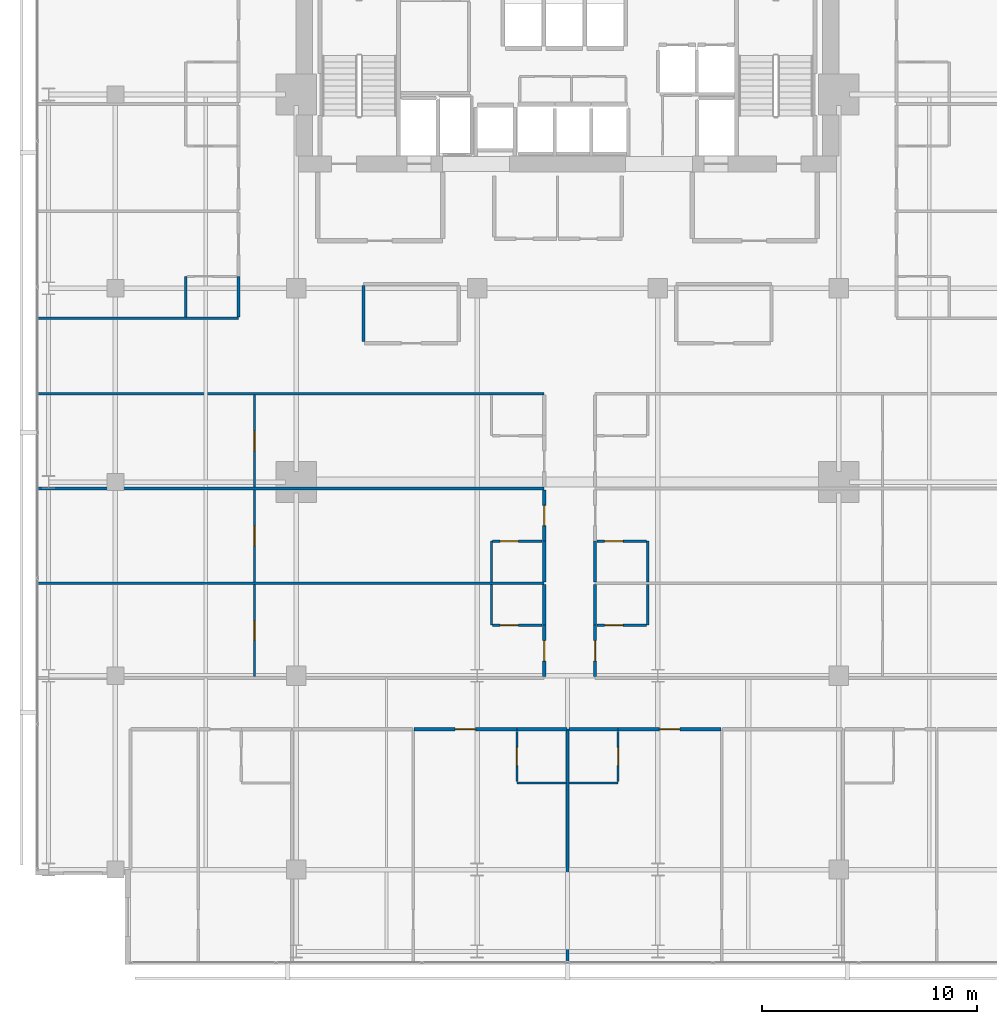
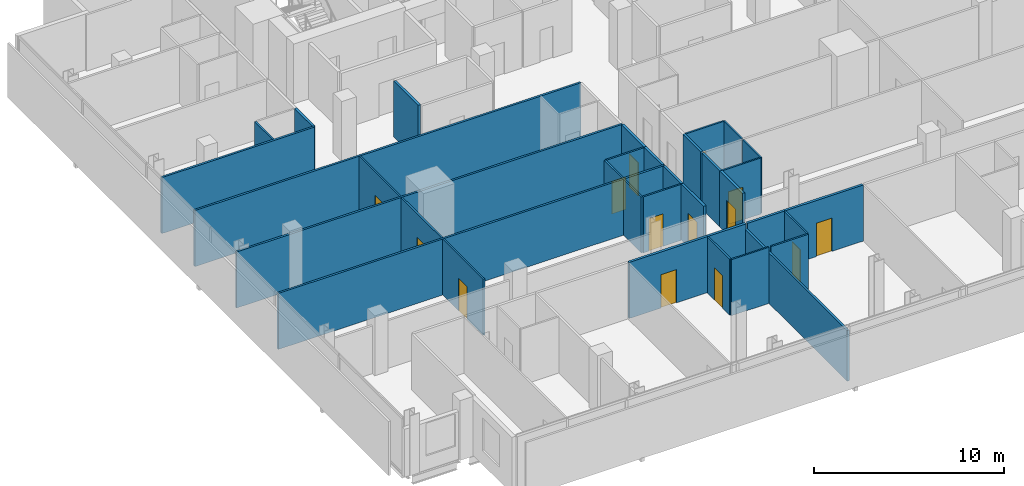
# One storey, part 27 of 34: 34 walls, 14 doors, 14 openings.
"""IFC4 building model written with IfcOpenShell, lengths in metres."""

from ifc_helpers import new_model, si_unit, direction, frame, frame_2d, origin, place, context, subcontext, project, spatial, rectangle, extrude, material, layer, layer_set, type_object, element, fill, save


model = new_model("IFC4")

# Units and contexts
model_context = context("Model", 3, precision=1e-05, world=origin(), true_north=direction((0.0, 1.0)))
body_context = subcontext(model_context, "Body", "Model", "MODEL_VIEW")
ifc_project = project(units=[si_unit("LENGTHUNIT", "METRE"), si_unit("AREAUNIT", "SQUARE_METRE"), si_unit("VOLUMEUNIT", "CUBIC_METRE"), si_unit("PLANEANGLEUNIT", "RADIAN"), si_unit("MASSUNIT", "GRAM", prefix="KILO")], contexts=[model_context])

# Site, building, storey
site_placement = place(None, origin())
site = spatial("IfcSite", under=ifc_project, at=site_placement, CompositionType="ELEMENT")
building_placement = place(site_placement, origin())
building = spatial("IfcBuilding", under=site, at=building_placement, Name="Maruvema Waterfront Hotel and Observation Tower", CompositionType="ELEMENT")
storey_placement = place(building_placement, frame((0.0, 0.0, 215.949951171875)))
storey = spatial("IfcBuildingStorey", under=building, at=storey_placement, Name="L53", CompositionType="ELEMENT", Elevation=215.949951171875)

# Walls
ifc_material_1 = material(Name="Twin-stud acoustic gypsum drywall", Category="gypsum")
ifc_layer_1 = layer(ifc_material_1, 0.14990234375, Name="Acoustic Corridor and Suite Demising Wall 150 mm")
ifc_layer_set_1 = layer_set([ifc_layer_1], Name="Twin-stud acoustic gypsum drywall")
wall_type_1 = type_object("IfcWallType", Name="Acoustic Corridor and Suite Demising Wall 150 mm", PredefinedType="PARTITIONING", material=ifc_layer_set_1)
wall_1_placement = place(storey_placement, frame((28.320068359375, 33.530029296875, 0.0), z_axis=(0.0, 0.0, 1.0), x_axis=(0.0, 1.0, 0.0)))
element("IfcWall", 1, at=wall_1_placement, inside=storey, type_object=wall_type_1, Name="L53 L53-M1 West Wall 028", PredefinedType="PARTITIONING", context=body_context, shape_type="SweptSolid", body=[
    extrude(rectangle(XDim=2.590087890625, YDim=0.14990234375, at=frame_2d((1.294921875, 0.0))), origin(), (0.0, 0.0, 1.0), 3.610107421875),
])
wall_2_placement = place(storey_placement, frame((35.449951171875, 15.52001953125, 0.0), z_axis=(0.0, 0.0, 1.0), x_axis=(1.0, 0.0, 0.0)))
element("IfcWall", 2, at=wall_2_placement, inside=storey, type_object=wall_type_1, Name="L53 Bath L53-S2 Back Wall 044", PredefinedType="PARTITIONING", context=body_context, shape_type="SweptSolid", body=[
    extrude(rectangle(XDim=2.330078125, YDim=0.14990234375, at=frame_2d((1.1650390625, 0.0))), origin(), (0.0, 0.0, 1.0), 3.610107421875),
])

# Wall, opening, door
wall_3_placement = place(storey_placement, frame((30.672119140625, 15.52001953125, 0.0), z_axis=(0.0, 0.0, 1.0), x_axis=(1.0, 0.0, 0.0)))
wall_3 = element("IfcWall", 3, at=wall_3_placement, inside=storey, type_object=wall_type_1, Name="L53 Unit L53-S2 Corridor Wall 048", PredefinedType="PARTITIONING", context=body_context, shape_type="SweptSolid", body=[
    extrude(rectangle(XDim=4.77783203125, YDim=0.14990234375, at=frame_2d((2.388916015625, 0.0))), origin(), (0.0, 0.0, 1.0), 3.610107421875),
])
opening_1_placement = place(wall_3_placement, frame((1.9140625, 0.0, 0.0)))
opening_1 = element("IfcOpeningElement", 4, at=opening_1_placement, cuts=wall_3, Name="Opening DR-095", PredefinedType="OPENING", context=body_context, shape_type="SweptSolid", body=[
    extrude(rectangle(XDim=0.949951171875, YDim=2.14990234375, at=frame_2d((0.47509765625, 1.074951171875))), frame((0.0, 0.0849609375, 0.0), z_axis=(0.0, -1.0, 0.0), x_axis=(1.0, 0.0, 0.0)), (0.0, 0.0, 1.0), 0.169921875),
])
ifc_material_2 = material(Name="Acoustic solid-core hardwood timber leaf", Category="wood")
door_type_1 = type_object("IfcDoorType", Name="Guestroom Entrance Fire Door 950x2150 mm", OperationType="NOTDEFINED", PredefinedType="DOOR", material=ifc_material_2)
door_1_placement = place(opening_1_placement, frame((0.949951171875, 0.0, 0.0), z_axis=(0.0, 0.0, 1.0), x_axis=(-1.0, 0.0, 0.0)))
door_1 = element("IfcDoor", 5, at=door_1_placement, inside=storey, type_object=door_type_1, Name="L53 Unit L53-S2 Entrance Door", OperationType="SINGLE_SWING_LEFT", OverallHeight=2.14990234375, OverallWidth=0.949951171875, PredefinedType="DOOR", context=body_context, shape_type="SweptSolid", body=[
    extrude(rectangle(XDim=0.949951171875, YDim=2.14990234375, at=frame_2d((0.47509765625, 1.074951171875))), frame((0.0, 0.02490234375, 0.0), z_axis=(0.0, -1.0, 0.0), x_axis=(1.0, 0.0, 0.0)), (0.0, 0.0, 1.0), 0.050048828125),
])
fill(opening_1, door_1)

# Wall
wall_4_placement = place(storey_placement, frame((37.8798828125, 15.52001953125, 0.0), z_axis=(0.0, 0.0, 1.0), x_axis=(1.0, 0.0, 0.0)))
element("IfcWall", 6, at=wall_4_placement, inside=storey, type_object=wall_type_1, Name="L53 Bath L53-S3 Back Wall 051", PredefinedType="PARTITIONING", context=body_context, shape_type="SweptSolid", body=[
    extrude(rectangle(XDim=2.27001953125, YDim=0.14990234375, at=frame_2d((1.135009765625, 0.0))), origin(), (0.0, 0.0, 1.0), 3.610107421875),
])

# Wall, opening, door
wall_5_placement = place(storey_placement, frame((40.14990234375, 15.52001953125, 0.0), z_axis=(0.0, 0.0, 1.0), x_axis=(1.0, 0.0, 0.0)))
wall_5 = element("IfcWall", 7, at=wall_5_placement, inside=storey, type_object=wall_type_1, Name="L53 Unit L53-S3 Corridor Wall 054", PredefinedType="PARTITIONING", context=body_context, shape_type="SweptSolid", body=[
    extrude(rectangle(XDim=4.778076171875, YDim=0.14990234375, at=frame_2d((2.38916015625, 0.0))), origin(), (0.0, 0.0, 1.0), 3.610107421875),
])
opening_2_placement = place(wall_5_placement, frame((1.9140625, 0.0, 0.0)))
opening_2 = element("IfcOpeningElement", 8, at=opening_2_placement, cuts=wall_5, Name="Opening DR-095", PredefinedType="OPENING", context=body_context, shape_type="SweptSolid", body=[
    extrude(rectangle(XDim=0.949951171875, YDim=2.14990234375, at=frame_2d((0.47509765625, 1.074951171875))), frame((0.0, 0.0849609375, 0.0), z_axis=(0.0, -1.0, 0.0), x_axis=(1.0, 0.0, 0.0)), (0.0, 0.0, 1.0), 0.169921875),
])
door_2_placement = place(opening_2_placement, frame((0.949951171875, 0.0, 0.0), z_axis=(0.0, 0.0, 1.0), x_axis=(-1.0, 0.0, 0.0)))
door_2 = element("IfcDoor", 9, at=door_2_placement, inside=storey, type_object=door_type_1, Name="L53 Unit L53-S3 Entrance Door", OperationType="SINGLE_SWING_RIGHT", OverallHeight=2.14990234375, OverallWidth=0.949951171875, PredefinedType="DOOR", context=body_context, shape_type="SweptSolid", body=[
    extrude(rectangle(XDim=0.949951171875, YDim=2.14990234375, at=frame_2d((0.47509765625, 1.074951171875))), frame((0.0, 0.02490234375, 0.0), z_axis=(0.0, -1.0, 0.0), x_axis=(1.0, 0.0, 0.0)), (0.0, 0.0, 1.0), 0.050048828125),
])
fill(opening_2, door_2)

wall_6_placement = place(storey_placement, frame((36.719970703125, 17.9599609375, 0.0), z_axis=(0.0, 0.0, 1.0), x_axis=(0.0, 1.0, 0.0)))
wall_6 = element("IfcWall", 10, at=wall_6_placement, inside=storey, type_object=wall_type_1, Name="L53 Room L53-W1 Corridor Wall 068", PredefinedType="PARTITIONING", context=body_context, shape_type="SweptSolid", body=[
    extrude(rectangle(XDim=2.39013671875, YDim=0.14990234375, at=frame_2d((1.195068359375, 0.0))), origin(), (0.0, 0.0, 1.0), 3.610107421875),
])
opening_3_placement = place(wall_6_placement, frame((0.719970703125, 0.0, 0.0)))
opening_3 = element("IfcOpeningElement", 11, at=opening_3_placement, cuts=wall_6, Name="Opening DR-095", PredefinedType="OPENING", context=body_context, shape_type="SweptSolid", body=[
    extrude(rectangle(XDim=0.949951171875, YDim=2.14990234375, at=frame_2d((0.47509765625, 1.074951171875))), frame((0.0, 0.0849609375, 0.0), z_axis=(0.0, -1.0, 0.0), x_axis=(1.0, 0.0, 0.0)), (0.0, 0.0, 1.0), 0.169921875),
])
door_3_placement = place(opening_3_placement, origin())
door_3 = element("IfcDoor", 12, at=door_3_placement, inside=storey, type_object=door_type_1, Name="L53 Room L53-W1 Entrance Door", OperationType="SINGLE_SWING_RIGHT", OverallHeight=2.14990234375, OverallWidth=0.949951171875, PredefinedType="DOOR", context=body_context, shape_type="SweptSolid", body=[
    extrude(rectangle(XDim=0.949951171875, YDim=2.14990234375, at=frame_2d((0.47509765625, 1.074951171875))), frame((0.0, 0.02490234375, 0.0), z_axis=(0.0, -1.0, 0.0), x_axis=(1.0, 0.0, 0.0)), (0.0, 0.0, 1.0), 0.050048828125),
])
fill(opening_3, door_3)

# Wall
wall_7_placement = place(storey_placement, frame((36.719970703125, 20.35009765625, 0.0), z_axis=(0.0, 0.0, 1.0), x_axis=(0.0, 1.0, 0.0)))
element("IfcWall", 13, at=wall_7_placement, inside=storey, type_object=wall_type_1, Name="L53 Bath L53-W1 Wall 069", PredefinedType="PARTITIONING", context=body_context, shape_type="SweptSolid", body=[
    extrude(rectangle(XDim=1.889892578125, YDim=0.14990234375, at=frame_2d((0.94482421875, 0.0))), origin(), (0.0, 0.0, 1.0), 3.610107421875),
])

# Wall, opening, door
wall_8_placement = place(storey_placement, frame((39.080078125, 17.9599609375, 0.0), z_axis=(0.0, 0.0, 1.0), x_axis=(0.0, 1.0, 0.0)))
wall_8 = element("IfcWall", 14, at=wall_8_placement, inside=storey, type_object=wall_type_1, Name="L53 Room L53-E1 Corridor Wall 073", PredefinedType="PARTITIONING", context=body_context, shape_type="SweptSolid", body=[
    extrude(rectangle(XDim=2.39013671875, YDim=0.14990234375, at=frame_2d((1.195068359375, 0.0))), origin(), (0.0, 0.0, 1.0), 3.610107421875),
])
opening_4_placement = place(wall_8_placement, frame((0.719970703125, 0.0, 0.0)))
opening_4 = element("IfcOpeningElement", 15, at=opening_4_placement, cuts=wall_8, Name="Opening DR-095", PredefinedType="OPENING", context=body_context, shape_type="SweptSolid", body=[
    extrude(rectangle(XDim=0.949951171875, YDim=2.14990234375, at=frame_2d((0.47509765625, 1.074951171875))), frame((0.0, 0.0849609375, 0.0), z_axis=(0.0, -1.0, 0.0), x_axis=(1.0, 0.0, 0.0)), (0.0, 0.0, 1.0), 0.169921875),
])
door_4_placement = place(opening_4_placement, frame((0.949951171875, 0.0, 0.0), z_axis=(0.0, 0.0, 1.0), x_axis=(-1.0, 0.0, 0.0)))
door_4 = element("IfcDoor", 16, at=door_4_placement, inside=storey, type_object=door_type_1, Name="L53 Room L53-E1 Entrance Door", OperationType="SINGLE_SWING_LEFT", OverallHeight=2.14990234375, OverallWidth=0.949951171875, PredefinedType="DOOR", context=body_context, shape_type="SweptSolid", body=[
    extrude(rectangle(XDim=0.949951171875, YDim=2.14990234375, at=frame_2d((0.47509765625, 1.074951171875))), frame((0.0, 0.02490234375, 0.0), z_axis=(0.0, -1.0, 0.0), x_axis=(1.0, 0.0, 0.0)), (0.0, 0.0, 1.0), 0.050048828125),
])
fill(opening_4, door_4)

# Walls
for number, where, z_axis, x_axis, name in (
    (17, (39.080078125, 20.35009765625, 0.0), (0.0, 0.0, 1.0), (0.0, 1.0, 0.0), "L53 Bath L53-E1 Wall 074"),
    (18, (36.719970703125, 22.360107421875, 0.0), (0.0, 0.0, 1.0), (0.0, 1.0, 0.0), "L53 Bath L53-W2 Wall 080"),
):
    element("IfcWall", number, at=place(storey_placement, frame(where, z_axis=z_axis, x_axis=x_axis)), inside=storey, type_object=wall_type_1, Name=name, PredefinedType="PARTITIONING", context=body_context, shape_type="SweptSolid", body=[
        extrude(rectangle(XDim=1.889892578125, YDim=0.14990234375, at=frame_2d((0.94482421875, 0.0))), origin(), (0.0, 0.0, 1.0), 3.610107421875),
    ])

# Wall, opening, door
wall_9_placement = place(storey_placement, frame((36.719970703125, 24.25, 0.0), z_axis=(0.0, 0.0, 1.0), x_axis=(0.0, 1.0, 0.0)))
wall_9 = element("IfcWall", 19, at=wall_9_placement, inside=storey, type_object=wall_type_1, Name="L53 Room L53-W2 Corridor Wall 081", PredefinedType="PARTITIONING", context=body_context, shape_type="SweptSolid", body=[
    extrude(rectangle(XDim=2.389892578125, YDim=0.14990234375, at=frame_2d((1.19482421875, 0.0))), origin(), (0.0, 0.0, 1.0), 3.610107421875),
])
opening_5_placement = place(wall_9_placement, frame((0.719970703125, 0.0, 0.0)))
opening_5 = element("IfcOpeningElement", 20, at=opening_5_placement, cuts=wall_9, Name="Opening DR-095", PredefinedType="OPENING", context=body_context, shape_type="SweptSolid", body=[
    extrude(rectangle(XDim=0.949951171875, YDim=2.14990234375, at=frame_2d((0.47509765625, 1.074951171875))), frame((0.0, 0.0849609375, 0.0), z_axis=(0.0, -1.0, 0.0), x_axis=(1.0, 0.0, 0.0)), (0.0, 0.0, 1.0), 0.169921875),
])
door_5_placement = place(opening_5_placement, origin())
door_5 = element("IfcDoor", 21, at=door_5_placement, inside=storey, type_object=door_type_1, Name="L53 Room L53-W2 Entrance Door", OperationType="SINGLE_SWING_RIGHT", OverallHeight=2.14990234375, OverallWidth=0.949951171875, PredefinedType="DOOR", context=body_context, shape_type="SweptSolid", body=[
    extrude(rectangle(XDim=0.949951171875, YDim=2.14990234375, at=frame_2d((0.47509765625, 1.074951171875))), frame((0.0, 0.02490234375, 0.0), z_axis=(0.0, -1.0, 0.0), x_axis=(1.0, 0.0, 0.0)), (0.0, 0.0, 1.0), 0.050048828125),
])
fill(opening_5, door_5)

# Walls
wall_10_placement = place(storey_placement, frame((39.080078125, 22.360107421875, 0.0), z_axis=(0.0, 0.0, 1.0), x_axis=(0.0, 1.0, 0.0)))
element("IfcWall", 22, at=wall_10_placement, inside=storey, type_object=wall_type_1, Name="L53 Bath L53-E2 Wall 085", PredefinedType="PARTITIONING", context=body_context, shape_type="SweptSolid", body=[
    extrude(rectangle(XDim=1.889892578125, YDim=0.14990234375, at=frame_2d((0.94482421875, 0.0))), origin(), (0.0, 0.0, 1.0), 3.610107421875),
])
wall_11_placement = place(storey_placement, frame((22.52001953125, 34.659912109375, 0.0), z_axis=(0.0, 0.0, 1.0), x_axis=(0.0, 1.0, 0.0)))
element("IfcWall", 23, at=wall_11_placement, inside=storey, type_object=wall_type_1, Name="L53 Bath L53-NW1 Wall 106", PredefinedType="PARTITIONING", context=body_context, shape_type="SweptSolid", body=[
    extrude(rectangle(XDim=1.89013671875, YDim=0.14990234375, at=frame_2d((0.945068359375, 0.0))), origin(), (0.0, 0.0, 1.0), 3.610107421875),
])
ifc_material_3 = material(Name="Moisture-resistant cement-board drywall", Category="gypsum")
ifc_layer_2 = layer(ifc_material_3, 0.10009765625, Name="En-Suite Moisture-Resistant Partition 100 mm")
ifc_layer_set_2 = layer_set([ifc_layer_2], Name="Moisture-resistant cement-board drywall")
wall_type_2 = type_object("IfcWallType", Name="En-Suite Moisture-Resistant Partition 100 mm", PredefinedType="PARTITIONING", material=ifc_layer_set_2)
wall_12_placement = place(storey_placement, frame((35.449951171875, 13.02001953125, 0.0), z_axis=(0.0, 0.0, 1.0), x_axis=(1.0, 0.0, 0.0)))
element("IfcWall", 24, at=wall_12_placement, inside=storey, type_object=wall_type_2, Name="L53 En-Suite L53-S2 South 045", PredefinedType="PARTITIONING", context=body_context, shape_type="SweptSolid", body=[
    extrude(rectangle(XDim=2.31005859375, YDim=0.10009765625, at=frame_2d((1.155029296875, 0.0))), origin(), (0.0, 0.0, 1.0), 3.610107421875),
])

# Wall, opening, door
wall_13_placement = place(storey_placement, frame((35.449951171875, 13.080078125, 0.0), z_axis=(0.0, 0.0, 1.0), x_axis=(0.0, 1.0, 0.0)))
wall_13 = element("IfcWall", 25, at=wall_13_placement, inside=storey, type_object=wall_type_2, Name="L53 En-Suite L53-S2 West 046", PredefinedType="PARTITIONING", context=body_context, shape_type="SweptSolid", body=[
    extrude(rectangle(XDim=2.33984375, YDim=0.10009765625, at=frame_2d((1.169921875, 0.0))), origin(), (0.0, 0.0, 1.0), 3.610107421875),
])
opening_6_placement = place(wall_13_placement, frame((0.7451171875, 0.0, 0.0)))
opening_6 = element("IfcOpeningElement", 26, at=opening_6_placement, cuts=wall_13, Name="Opening DR-085", PredefinedType="OPENING", context=body_context, shape_type="SweptSolid", body=[
    extrude(rectangle(XDim=0.85009765625, YDim=2.10009765625, at=frame_2d((0.425048828125, 1.050048828125))), frame((0.0, 0.06005859375, 0.0), z_axis=(0.0, -1.0, 0.0), x_axis=(1.0, 0.0, 0.0)), (0.0, 0.0, 1.0), 0.1201171875),
])
ifc_material_4 = material(Name="Moisture-resistant solid timber leaf", Category="wood")
door_type_2 = type_object("IfcDoorType", Name="En-Suite Bathroom Door 850x2100 mm", OperationType="NOTDEFINED", PredefinedType="DOOR", material=ifc_material_4)
door_6_placement = place(opening_6_placement, origin())
door_6 = element("IfcDoor", 27, at=door_6_placement, inside=storey, type_object=door_type_2, Name="L53 En-Suite L53-S2 Door", OperationType="SINGLE_SWING_RIGHT", OverallHeight=2.10009765625, OverallWidth=0.85009765625, PredefinedType="DOOR", context=body_context, shape_type="SweptSolid", body=[
    extrude(rectangle(XDim=0.85009765625, YDim=2.10009765625, at=frame_2d((0.425048828125, 1.050048828125))), frame((0.0, 0.02490234375, 0.0), z_axis=(0.0, -1.0, 0.0), x_axis=(1.0, 0.0, 0.0)), (0.0, 0.0, 1.0), 0.050048828125),
])
fill(opening_6, door_6)

# Wall
wall_14_placement = place(storey_placement, frame((37.8798828125, 13.02001953125, 0.0), z_axis=(0.0, 0.0, 1.0), x_axis=(1.0, 0.0, 0.0)))
element("IfcWall", 28, at=wall_14_placement, inside=storey, type_object=wall_type_2, Name="L53 En-Suite L53-S3 South 052", PredefinedType="PARTITIONING", context=body_context, shape_type="SweptSolid", body=[
    extrude(rectangle(XDim=2.27001953125, YDim=0.10009765625, at=frame_2d((1.135009765625, 0.0))), origin(), (0.0, 0.0, 1.0), 3.610107421875),
])

# Wall, opening, door
wall_15_placement = place(storey_placement, frame((40.14990234375, 13.080078125, 0.0), z_axis=(0.0, 0.0, 1.0), x_axis=(0.0, 1.0, 0.0)))
wall_15 = element("IfcWall", 29, at=wall_15_placement, inside=storey, type_object=wall_type_2, Name="L53 En-Suite L53-S3 East 053", PredefinedType="PARTITIONING", context=body_context, shape_type="SweptSolid", body=[
    extrude(rectangle(XDim=2.33984375, YDim=0.10009765625, at=frame_2d((1.169921875, 0.0))), origin(), (0.0, 0.0, 1.0), 3.610107421875),
])
opening_7_placement = place(wall_15_placement, frame((0.7451171875, 0.0, 0.0)))
opening_7 = element("IfcOpeningElement", 30, at=opening_7_placement, cuts=wall_15, Name="Opening DR-085", PredefinedType="OPENING", context=body_context, shape_type="SweptSolid", body=[
    extrude(rectangle(XDim=0.85009765625, YDim=2.10009765625, at=frame_2d((0.425048828125, 1.050048828125))), frame((0.0, 0.06005859375, 0.0), z_axis=(0.0, -1.0, 0.0), x_axis=(1.0, 0.0, 0.0)), (0.0, 0.0, 1.0), 0.1201171875),
])
door_7_placement = place(opening_7_placement, frame((0.85009765625, 0.0, 0.0), z_axis=(0.0, 0.0, 1.0), x_axis=(-1.0, 0.0, 0.0)))
door_7 = element("IfcDoor", 31, at=door_7_placement, inside=storey, type_object=door_type_2, Name="L53 En-Suite L53-S3 Door", OperationType="SINGLE_SWING_LEFT", OverallHeight=2.10009765625, OverallWidth=0.85009765625, PredefinedType="DOOR", context=body_context, shape_type="SweptSolid", body=[
    extrude(rectangle(XDim=0.85009765625, YDim=2.10009765625, at=frame_2d((0.425048828125, 1.050048828125))), frame((0.0, 0.02490234375, 0.0), z_axis=(0.0, -1.0, 0.0), x_axis=(1.0, 0.0, 0.0)), (0.0, 0.0, 1.0), 0.050048828125),
])
fill(opening_7, door_7)

# Wall
wall_16_placement = place(storey_placement, frame((34.27001953125, 20.35009765625, 0.0), z_axis=(0.0, 0.0, 1.0), x_axis=(0.0, 1.0, 0.0)))
element("IfcWall", 32, at=wall_16_placement, inside=storey, type_object=wall_type_2, Name="L53 En-Suite L53-W1 W 070", PredefinedType="PARTITIONING", context=body_context, shape_type="SweptSolid", body=[
    extrude(rectangle(XDim=1.889892578125, YDim=0.10009765625, at=frame_2d((0.94482421875, 0.0))), origin(), (0.0, 0.0, 1.0), 3.610107421875),
])

# Wall, opening, door
wall_17_placement = place(storey_placement, frame((34.320068359375, 20.35009765625, 0.0), z_axis=(0.0, 0.0, 1.0), x_axis=(1.0, 0.0, 0.0)))
wall_17 = element("IfcWall", 33, at=wall_17_placement, inside=storey, type_object=wall_type_2, Name="L53 En-Suite L53-W1 S 071", PredefinedType="PARTITIONING", context=body_context, shape_type="SweptSolid", body=[
    extrude(rectangle(XDim=2.300048828125, YDim=0.10009765625, at=frame_2d((1.14990234375, 0.0))), origin(), (0.0, 0.0, 1.0), 3.610107421875),
])
opening_8_placement = place(wall_17_placement, frame((0.35009765625, 0.0, 0.0)))
opening_8 = element("IfcOpeningElement", 34, at=opening_8_placement, cuts=wall_17, Name="Opening DR-085", PredefinedType="OPENING", context=body_context, shape_type="SweptSolid", body=[
    extrude(rectangle(XDim=0.85009765625, YDim=2.10009765625, at=frame_2d((0.425048828125, 1.050048828125))), frame((0.0, 0.06005859375, 0.0), z_axis=(0.0, -1.0, 0.0), x_axis=(1.0, 0.0, 0.0)), (0.0, 0.0, 1.0), 0.1201171875),
])
door_8_placement = place(opening_8_placement, frame((0.85009765625, 0.0, 0.0), z_axis=(0.0, 0.0, 1.0), x_axis=(-1.0, 0.0, 0.0)))
door_8 = element("IfcDoor", 35, at=door_8_placement, inside=storey, type_object=door_type_2, Name="L53 En-Suite L53-W1 Door", OperationType="SINGLE_SWING_LEFT", OverallHeight=2.10009765625, OverallWidth=0.85009765625, PredefinedType="DOOR", context=body_context, shape_type="SweptSolid", body=[
    extrude(rectangle(XDim=0.85009765625, YDim=2.10009765625, at=frame_2d((0.425048828125, 1.050048828125))), frame((0.0, 0.02490234375, 0.0), z_axis=(0.0, -1.0, 0.0), x_axis=(1.0, 0.0, 0.0)), (0.0, 0.0, 1.0), 0.050048828125),
])
fill(opening_8, door_8)

wall_18_placement = place(storey_placement, frame((23.26171875, 17.9599609375, 0.0), z_axis=(0.0, 0.0, 1.0), x_axis=(0.0, 1.0, 0.0)))
wall_18 = element("IfcWall", 36, at=wall_18_placement, inside=storey, type_object=wall_type_2, Name="L53 Suite L53-W1 Split 072", PredefinedType="PARTITIONING", context=body_context, shape_type="SweptSolid", body=[
    extrude(rectangle(XDim=4.280029296875, YDim=0.10009765625, at=frame_2d((2.14013671875, 0.0))), origin(), (0.0, 0.0, 1.0), 3.610107421875),
])
opening_9_placement = place(wall_18_placement, frame((1.68994140625, 0.0, 0.0)))
opening_9 = element("IfcOpeningElement", 37, at=opening_9_placement, cuts=wall_18, Name="Opening DR-090", PredefinedType="OPENING", context=body_context, shape_type="SweptSolid", body=[
    extrude(rectangle(XDim=0.89990234375, YDim=2.10009765625, at=frame_2d((0.449951171875, 1.050048828125))), frame((0.0, 0.06005859375, 0.0), z_axis=(0.0, -1.0, 0.0), x_axis=(1.0, 0.0, 0.0)), (0.0, 0.0, 1.0), 0.1201171875),
])
ifc_material_5 = material(Name="Solid-core lacquered timber leaf", Category="wood")
door_type_3 = type_object("IfcDoorType", Name="Accessible Toilet and Room Door 900x2100 mm", OperationType="NOTDEFINED", PredefinedType="DOOR", material=ifc_material_5)
door_9_placement = place(opening_9_placement, origin())
door_9 = element("IfcDoor", 38, at=door_9_placement, inside=storey, type_object=door_type_3, Name="L53 Suite L53-W1 Bedroom Door", OperationType="SINGLE_SWING_LEFT", OverallHeight=2.10009765625, OverallWidth=0.89990234375, PredefinedType="DOOR", context=body_context, shape_type="SweptSolid", body=[
    extrude(rectangle(XDim=0.89990234375, YDim=2.10009765625, at=frame_2d((0.449951171875, 1.050048828125))), frame((0.0, 0.02490234375, 0.0), z_axis=(0.0, -1.0, 0.0), x_axis=(1.0, 0.0, 0.0)), (0.0, 0.0, 1.0), 0.050048828125),
])
fill(opening_9, door_9)

# Wall
wall_19_placement = place(storey_placement, frame((41.530029296875, 20.35009765625, 0.0), z_axis=(0.0, 0.0, 1.0), x_axis=(0.0, 1.0, 0.0)))
element("IfcWall", 39, at=wall_19_placement, inside=storey, type_object=wall_type_2, Name="L53 En-Suite L53-E1 E 075", PredefinedType="PARTITIONING", context=body_context, shape_type="SweptSolid", body=[
    extrude(rectangle(XDim=1.889892578125, YDim=0.10009765625, at=frame_2d((0.94482421875, 0.0))), origin(), (0.0, 0.0, 1.0), 3.610107421875),
])

# Wall, opening, door
wall_20_placement = place(storey_placement, frame((39.179931640625, 20.35009765625, 0.0), z_axis=(0.0, 0.0, 1.0), x_axis=(1.0, 0.0, 0.0)))
wall_20 = element("IfcWall", 40, at=wall_20_placement, inside=storey, type_object=wall_type_2, Name="L53 En-Suite L53-E1 S 076", PredefinedType="PARTITIONING", context=body_context, shape_type="SweptSolid", body=[
    extrude(rectangle(XDim=2.300048828125, YDim=0.10009765625, at=frame_2d((1.14990234375, 0.0))), origin(), (0.0, 0.0, 1.0), 3.610107421875),
])
opening_10_placement = place(wall_20_placement, frame((0.35009765625, 0.0, 0.0)))
opening_10 = element("IfcOpeningElement", 41, at=opening_10_placement, cuts=wall_20, Name="Opening DR-085", PredefinedType="OPENING", context=body_context, shape_type="SweptSolid", body=[
    extrude(rectangle(XDim=0.85009765625, YDim=2.10009765625, at=frame_2d((0.425048828125, 1.050048828125))), frame((0.0, 0.06005859375, 0.0), z_axis=(0.0, -1.0, 0.0), x_axis=(1.0, 0.0, 0.0)), (0.0, 0.0, 1.0), 0.1201171875),
])
door_10_placement = place(opening_10_placement, frame((0.85009765625, 0.0, 0.0), z_axis=(0.0, 0.0, 1.0), x_axis=(-1.0, 0.0, 0.0)))
door_10 = element("IfcDoor", 42, at=door_10_placement, inside=storey, type_object=door_type_2, Name="L53 En-Suite L53-E1 Door", OperationType="SINGLE_SWING_RIGHT", OverallHeight=2.10009765625, OverallWidth=0.85009765625, PredefinedType="DOOR", context=body_context, shape_type="SweptSolid", body=[
    extrude(rectangle(XDim=0.85009765625, YDim=2.10009765625, at=frame_2d((0.425048828125, 1.050048828125))), frame((0.0, 0.02490234375, 0.0), z_axis=(0.0, -1.0, 0.0), x_axis=(1.0, 0.0, 0.0)), (0.0, 0.0, 1.0), 0.050048828125),
])
fill(opening_10, door_10)

# Wall
wall_21_placement = place(storey_placement, frame((34.27001953125, 22.360107421875, 0.0), z_axis=(0.0, 0.0, 1.0), x_axis=(0.0, 1.0, 0.0)))
element("IfcWall", 43, at=wall_21_placement, inside=storey, type_object=wall_type_2, Name="L53 En-Suite L53-W2 W 082", PredefinedType="PARTITIONING", context=body_context, shape_type="SweptSolid", body=[
    extrude(rectangle(XDim=1.889892578125, YDim=0.10009765625, at=frame_2d((0.94482421875, 0.0))), origin(), (0.0, 0.0, 1.0), 3.610107421875),
])

# Wall, opening, door
wall_22_placement = place(storey_placement, frame((34.320068359375, 24.25, 0.0), z_axis=(0.0, 0.0, 1.0), x_axis=(1.0, 0.0, 0.0)))
wall_22 = element("IfcWall", 44, at=wall_22_placement, inside=storey, type_object=wall_type_2, Name="L53 En-Suite L53-W2 N 083", PredefinedType="PARTITIONING", context=body_context, shape_type="SweptSolid", body=[
    extrude(rectangle(XDim=2.300048828125, YDim=0.10009765625, at=frame_2d((1.14990234375, 0.0))), origin(), (0.0, 0.0, 1.0), 3.610107421875),
])
opening_11_placement = place(wall_22_placement, frame((0.35009765625, 0.0, 0.0)))
opening_11 = element("IfcOpeningElement", 45, at=opening_11_placement, cuts=wall_22, Name="Opening DR-085", PredefinedType="OPENING", context=body_context, shape_type="SweptSolid", body=[
    extrude(rectangle(XDim=0.85009765625, YDim=2.10009765625, at=frame_2d((0.425048828125, 1.050048828125))), frame((0.0, 0.06005859375, 0.0), z_axis=(0.0, -1.0, 0.0), x_axis=(1.0, 0.0, 0.0)), (0.0, 0.0, 1.0), 0.1201171875),
])
door_11_placement = place(opening_11_placement, origin())
door_11 = element("IfcDoor", 46, at=door_11_placement, inside=storey, type_object=door_type_2, Name="L53 En-Suite L53-W2 Door", OperationType="SINGLE_SWING_LEFT", OverallHeight=2.10009765625, OverallWidth=0.85009765625, PredefinedType="DOOR", context=body_context, shape_type="SweptSolid", body=[
    extrude(rectangle(XDim=0.85009765625, YDim=2.10009765625, at=frame_2d((0.425048828125, 1.050048828125))), frame((0.0, 0.02490234375, 0.0), z_axis=(0.0, -1.0, 0.0), x_axis=(1.0, 0.0, 0.0)), (0.0, 0.0, 1.0), 0.050048828125),
])
fill(opening_11, door_11)

wall_23_placement = place(storey_placement, frame((23.26171875, 22.360107421875, 0.0), z_axis=(0.0, 0.0, 1.0), x_axis=(0.0, 1.0, 0.0)))
wall_23 = element("IfcWall", 47, at=wall_23_placement, inside=storey, type_object=wall_type_2, Name="L53 Suite L53-W2 Split 084", PredefinedType="PARTITIONING", context=body_context, shape_type="SweptSolid", body=[
    extrude(rectangle(XDim=4.27978515625, YDim=0.10009765625, at=frame_2d((2.139892578125, 0.0))), origin(), (0.0, 0.0, 1.0), 3.610107421875),
])
opening_12_placement = place(wall_23_placement, frame((1.68994140625, 0.0, 0.0)))
opening_12 = element("IfcOpeningElement", 48, at=opening_12_placement, cuts=wall_23, Name="Opening DR-090", PredefinedType="OPENING", context=body_context, shape_type="SweptSolid", body=[
    extrude(rectangle(XDim=0.89990234375, YDim=2.10009765625, at=frame_2d((0.449951171875, 1.050048828125))), frame((0.0, 0.06005859375, 0.0), z_axis=(0.0, -1.0, 0.0), x_axis=(1.0, 0.0, 0.0)), (0.0, 0.0, 1.0), 0.1201171875),
])
door_12_placement = place(opening_12_placement, origin())
door_12 = element("IfcDoor", 49, at=door_12_placement, inside=storey, type_object=door_type_3, Name="L53 Suite L53-W2 Bedroom Door", OperationType="SINGLE_SWING_LEFT", OverallHeight=2.10009765625, OverallWidth=0.89990234375, PredefinedType="DOOR", context=body_context, shape_type="SweptSolid", body=[
    extrude(rectangle(XDim=0.89990234375, YDim=2.10009765625, at=frame_2d((0.449951171875, 1.050048828125))), frame((0.0, 0.02490234375, 0.0), z_axis=(0.0, -1.0, 0.0), x_axis=(1.0, 0.0, 0.0)), (0.0, 0.0, 1.0), 0.050048828125),
])
fill(opening_12, door_12)

# Wall
wall_24_placement = place(storey_placement, frame((41.530029296875, 22.360107421875, 0.0), z_axis=(0.0, 0.0, 1.0), x_axis=(0.0, 1.0, 0.0)))
element("IfcWall", 50, at=wall_24_placement, inside=storey, type_object=wall_type_2, Name="L53 En-Suite L53-E2 E 087", PredefinedType="PARTITIONING", context=body_context, shape_type="SweptSolid", body=[
    extrude(rectangle(XDim=1.889892578125, YDim=0.10009765625, at=frame_2d((0.94482421875, 0.0))), origin(), (0.0, 0.0, 1.0), 3.610107421875),
])

# Wall, opening, door
wall_25_placement = place(storey_placement, frame((39.179931640625, 24.25, 0.0), z_axis=(0.0, 0.0, 1.0), x_axis=(1.0, 0.0, 0.0)))
wall_25 = element("IfcWall", 51, at=wall_25_placement, inside=storey, type_object=wall_type_2, Name="L53 En-Suite L53-E2 N 088", PredefinedType="PARTITIONING", context=body_context, shape_type="SweptSolid", body=[
    extrude(rectangle(XDim=2.300048828125, YDim=0.10009765625, at=frame_2d((1.14990234375, 0.0))), origin(), (0.0, 0.0, 1.0), 3.610107421875),
])
opening_13_placement = place(wall_25_placement, frame((0.35009765625, 0.0, 0.0)))
opening_13 = element("IfcOpeningElement", 52, at=opening_13_placement, cuts=wall_25, Name="Opening DR-085", PredefinedType="OPENING", context=body_context, shape_type="SweptSolid", body=[
    extrude(rectangle(XDim=0.85009765625, YDim=2.10009765625, at=frame_2d((0.425048828125, 1.050048828125))), frame((0.0, 0.06005859375, 0.0), z_axis=(0.0, -1.0, 0.0), x_axis=(1.0, 0.0, 0.0)), (0.0, 0.0, 1.0), 0.1201171875),
])
door_13_placement = place(opening_13_placement, origin())
door_13 = element("IfcDoor", 53, at=door_13_placement, inside=storey, type_object=door_type_2, Name="L53 En-Suite L53-E2 Door", OperationType="SINGLE_SWING_RIGHT", OverallHeight=2.10009765625, OverallWidth=0.85009765625, PredefinedType="DOOR", context=body_context, shape_type="SweptSolid", body=[
    extrude(rectangle(XDim=0.85009765625, YDim=2.10009765625, at=frame_2d((0.425048828125, 1.050048828125))), frame((0.0, 0.02490234375, 0.0), z_axis=(0.0, -1.0, 0.0), x_axis=(1.0, 0.0, 0.0)), (0.0, 0.0, 1.0), 0.050048828125),
])
fill(opening_13, door_13)

wall_26_placement = place(storey_placement, frame((23.26171875, 26.760009765625, 0.0), z_axis=(0.0, 0.0, 1.0), x_axis=(0.0, 1.0, 0.0)))
wall_26 = element("IfcWall", 54, at=wall_26_placement, inside=storey, type_object=wall_type_2, Name="L53 Suite L53-W3 Split 096", PredefinedType="PARTITIONING", context=body_context, shape_type="SweptSolid", body=[
    extrude(rectangle(XDim=4.280029296875, YDim=0.10009765625, at=frame_2d((2.14013671875, 0.0))), origin(), (0.0, 0.0, 1.0), 3.610107421875),
])
opening_14_placement = place(wall_26_placement, frame((1.68994140625, 0.0, 0.0)))
opening_14 = element("IfcOpeningElement", 55, at=opening_14_placement, cuts=wall_26, Name="Opening DR-090", PredefinedType="OPENING", context=body_context, shape_type="SweptSolid", body=[
    extrude(rectangle(XDim=0.89990234375, YDim=2.10009765625, at=frame_2d((0.449951171875, 1.050048828125))), frame((0.0, 0.06005859375, 0.0), z_axis=(0.0, -1.0, 0.0), x_axis=(1.0, 0.0, 0.0)), (0.0, 0.0, 1.0), 0.1201171875),
])
door_14_placement = place(opening_14_placement, origin())
door_14 = element("IfcDoor", 56, at=door_14_placement, inside=storey, type_object=door_type_3, Name="L53 Suite L53-W3 Bedroom Door", OperationType="SINGLE_SWING_LEFT", OverallHeight=2.10009765625, OverallWidth=0.89990234375, PredefinedType="DOOR", context=body_context, shape_type="SweptSolid", body=[
    extrude(rectangle(XDim=0.89990234375, YDim=2.10009765625, at=frame_2d((0.449951171875, 1.050048828125))), frame((0.0, 0.02490234375, 0.0), z_axis=(0.0, -1.0, 0.0), x_axis=(1.0, 0.0, 0.0)), (0.0, 0.0, 1.0), 0.050048828125),
])
fill(opening_14, door_14)

# Walls
wall_27_placement = place(storey_placement, frame((20.070068359375, 34.659912109375, 0.0), z_axis=(0.0, 0.0, 1.0), x_axis=(0.0, 1.0, 0.0)))
element("IfcWall", 57, at=wall_27_placement, inside=storey, type_object=wall_type_2, Name="L53 En-Suite L53-NW1 W 108", PredefinedType="PARTITIONING", context=body_context, shape_type="SweptSolid", body=[
    extrude(rectangle(XDim=1.89013671875, YDim=0.10009765625, at=frame_2d((0.945068359375, 0.0))), origin(), (0.0, 0.0, 1.0), 3.610107421875),
])
ifc_material_6 = material(Name="Acoustic gypsum plasterboard drywall", Category="gypsum")
ifc_layer_3 = layer(ifc_material_6, 0.125, Name="Guestroom Acoustic Demising Wall 125 mm")
ifc_layer_set_3 = layer_set([ifc_layer_3], Name="Acoustic gypsum plasterboard drywall")
wall_type_3 = type_object("IfcWallType", Name="Guestroom Acoustic Demising Wall 125 mm", PredefinedType="PARTITIONING", material=ifc_layer_set_3)
wall_28_placement = place(storey_placement, frame((37.800048828125, 4.699951171875, 0.0), z_axis=(0.0, 0.0, 1.0), x_axis=(0.0, 1.0, 0.0)))
element("IfcWall", 58, at=wall_28_placement, inside=storey, type_object=wall_type_3, Name="L53 Z2 S Demising 3 050", PredefinedType="PARTITIONING", context=body_context, shape_type="SweptSolid", body=[
    extrude(rectangle(XDim=10.820068359375, YDim=0.125, at=frame_2d((5.41015625, 0.0))), origin(), (0.0, 0.0, 1.0), 3.255126953125),
])
for number, where, z_axis, x_axis, name in (
    (59, (13.199951171875, 31.10009765625, 0.0), (0.0, 0.0, 1.0), (1.0, 0.0, 0.0), "L53 Z2 W Top End 066"),
    (60, (13.199951171875, 22.300048828125, 0.0), (0.0, 0.0, 1.0), (1.0, 0.0, 0.0), "L53 Z2 W Demising 2 078"),
    (61, (13.199951171875, 26.699951171875, 0.0), (0.0, 0.0, 1.0), (1.0, 0.0, 0.0), "L53 Z2 W Demising 3 090"),
):
    element("IfcWall", number, at=place(storey_placement, frame(where, z_axis=z_axis, x_axis=x_axis)), inside=storey, type_object=wall_type_3, Name=name, PredefinedType="PARTITIONING", context=body_context, shape_type="SweptSolid", body=[
        extrude(rectangle(XDim=23.52001953125, YDim=0.125, at=frame_2d((11.760009765625, 0.0))), origin(), (0.0, 0.0, 1.0), 3.610107421875),
    ])
wall_29_placement = place(storey_placement, frame((13.199951171875, 34.60009765625, 0.0), z_axis=(0.0, 0.0, 1.0), x_axis=(1.0, 0.0, 0.0)))
element("IfcWall", 62, at=wall_29_placement, inside=storey, type_object=wall_type_3, Name="L53 Z2 NW Bot End 102", PredefinedType="PARTITIONING", context=body_context, shape_type="SweptSolid", body=[
    extrude(rectangle(XDim=9.320068359375, YDim=0.125, at=frame_2d((4.66015625, 0.0))), origin(), (0.0, 0.0, 1.0), 3.610107421875),
])

save(model, "model.ifc")
